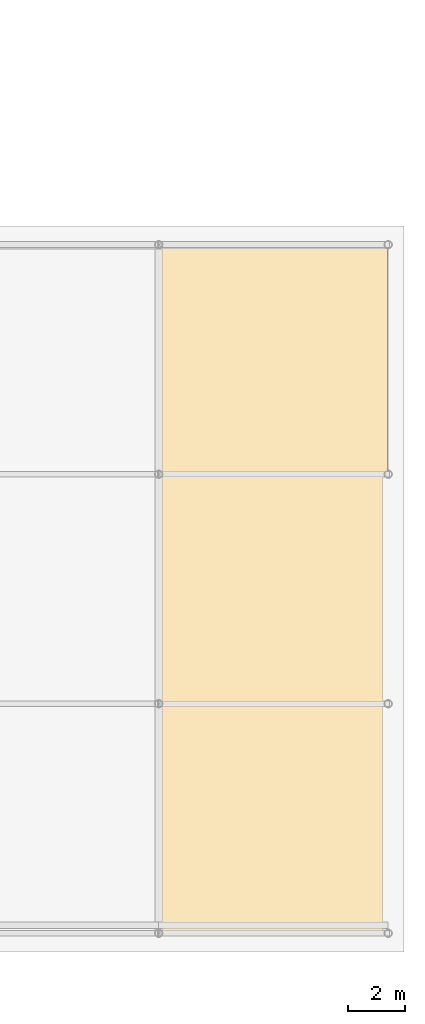
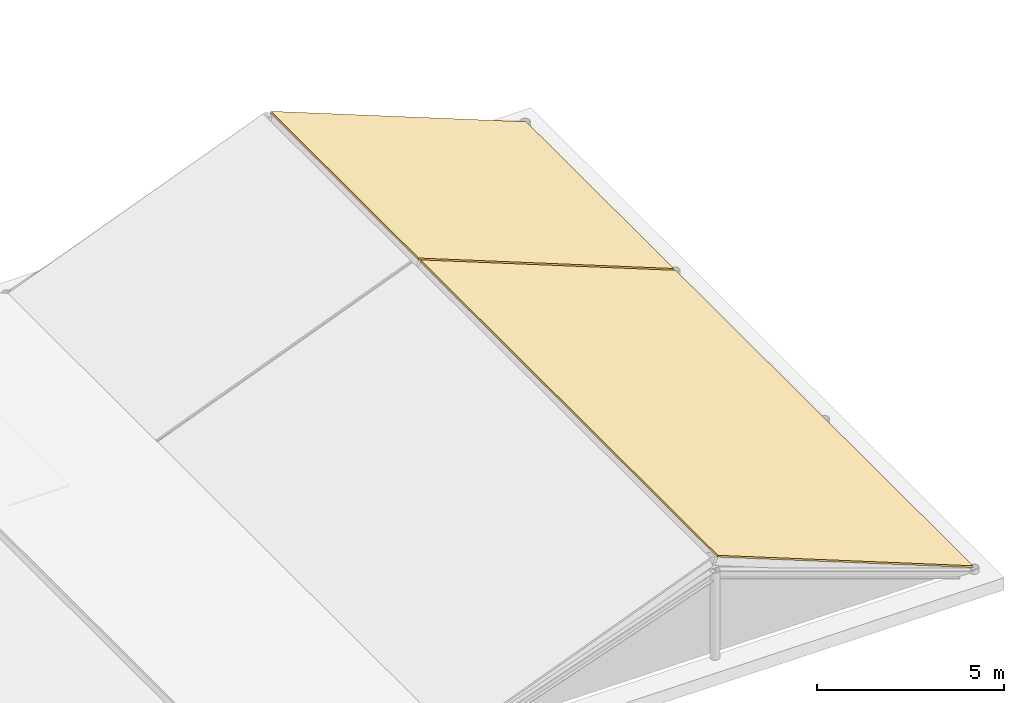
# One storey, part 37 of 37: 2 coverings.
"""IFC4 building model written with IfcOpenShell, lengths in metres."""

from ifc_helpers import new_model, si_unit, direction, frame, origin, place, context, subcontext, project, spatial, polyline, outline, extrude, material, layer, layer_set, type_object, element, save


model = new_model("IFC4")

# Units and contexts
model_context = context("Model", 3, precision=1e-05, world=origin(), true_north=direction((0.0, 1.0)))
body_context = subcontext(model_context, "Body", "Model", "MODEL_VIEW")
ifc_project = project(units=[si_unit("LENGTHUNIT", "METRE"), si_unit("AREAUNIT", "SQUARE_METRE"), si_unit("VOLUMEUNIT", "CUBIC_METRE"), si_unit("PLANEANGLEUNIT", "RADIAN"), si_unit("MASSUNIT", "GRAM", prefix="KILO")], contexts=[model_context])

# Site, building, storey
site_placement = place(None, origin())
site = spatial("IfcSite", under=ifc_project, at=site_placement, CompositionType="ELEMENT")
building_placement = place(site_placement, origin())
building = spatial("IfcBuilding", under=site, at=building_placement, Name="Qorikala Patio Media Centre", CompositionType="ELEMENT")
storey_placement = place(building_placement, frame((0.0, 0.0, 14.39990234375)))
storey = spatial("IfcBuildingStorey", under=building, at=storey_placement, Name="L03", CompositionType="ELEMENT", Elevation=14.39990234375)

# Coverings
ifc_material = material(Name="Spanish Terracotta Clay Tile", Category="masonry")
ifc_layer = layer(ifc_material, 0.054931640625)
ifc_layer_set = layer_set([ifc_layer], Name="Spanish Terracotta Clay Tile")
covering_type = type_object("IfcCoveringType", Name="COV-ROOF-TILE", PredefinedType="ROOFING", material=ifc_layer_set)
covering_1_placement = place(storey_placement, frame((130.1201171875, 3.050048828125, 3.460205078125), z_axis=(0.366105481265, 0.0, 0.930573359058), x_axis=(0.930573359058, 0.0, -0.366105481265)))
element("IfcCovering", 1, at=covering_1_placement, inside=storey, type_object=covering_type, Name="RF-V7A2 Terracotta Clay-Tile Roof E", PredefinedType="ROOFING", context=body_context, shape_type="SweptSolid", body=[
    extrude(outline(polyline([(0.0, 0.0), (8.467771762218185, 0.0), (8.467771762218185, 15.89990234375), (0.0, 15.89990234375), (0.0, 0.0)])), origin(), (0.0, 0.0, -1.0), 0.054931640625),
])
covering_2_placement = place(storey_placement, frame((130.1201171875, 19.050048828125, 3.460205078125), z_axis=(0.366105481265, 0.0, 0.930573359058), x_axis=(0.930573359058, 0.0, -0.366105481265)))
element("IfcCovering", 2, at=covering_2_placement, inside=storey, type_object=covering_type, Name="RF-V7A3 Terracotta Clay-Tile Roof E", PredefinedType="ROOFING", context=body_context, shape_type="SweptSolid", body=[
    extrude(outline(polyline([(0.0, 0.0), (8.467771762218185, 0.0), (8.467771762218185, 7.89990234375), (0.0, 7.89990234375), (0.0, 0.0)])), origin(), (0.0, 0.0, -1.0), 0.054931640625),
])

save(model, "model.ifc")
